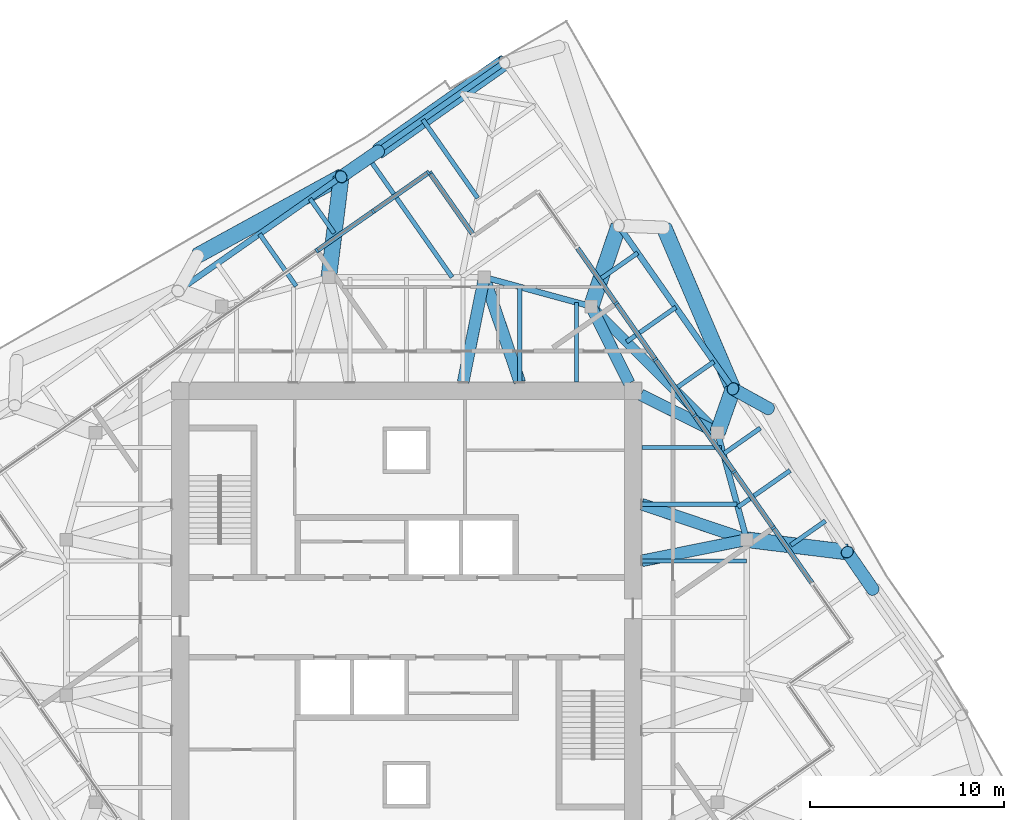
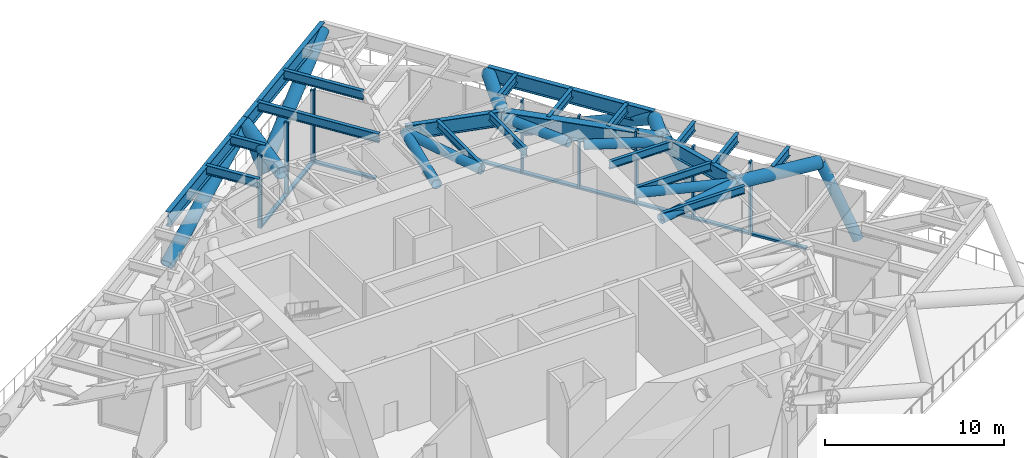
# One storey, part 5 of 16: 34 members, 21 beams, 3 elements without a shape of their own.
"""IFC4 building model written with IfcOpenShell, lengths in metres."""

from ifc_helpers import new_model, si_unit, direction, frame, origin, origin_2d, place, context, subcontext, project, spatial, rectangle, hollow_circle, i_section, extrude, material, material_profile, profile_set, type_object, element, aggregate, save


model = new_model("IFC4")

# Units and contexts
model_context = context("Model", 3, precision=1e-05, world=origin(), true_north=direction((0.0, 1.0)))
body_context = subcontext(model_context, "Body", "Model", "MODEL_VIEW")
ifc_project = project(units=[si_unit("LENGTHUNIT", "METRE"), si_unit("AREAUNIT", "SQUARE_METRE"), si_unit("VOLUMEUNIT", "CUBIC_METRE"), si_unit("PLANEANGLEUNIT", "RADIAN"), si_unit("MASSUNIT", "GRAM", prefix="KILO")], contexts=[model_context])

# Site, building, storey
site_placement = place(None, origin())
site = spatial("IfcSite", under=ifc_project, at=site_placement, CompositionType="ELEMENT")
building_placement = place(site_placement, origin())
building = spatial("IfcBuilding", under=site, at=building_placement, Name="Torsade Residences", CompositionType="ELEMENT")
storey_placement = place(building_placement, frame((0.0, 0.0, 235.39990234375)))
storey = spatial("IfcBuildingStorey", under=building, at=storey_placement, Name="L65", CompositionType="ELEMENT", Elevation=235.39990234375)

# Curtain wall, members
ifc_material_1 = material(Name="Aluminium and glass", Category="aluminium")
curtain_wall_type = type_object("IfcCurtainWallType", Name="TRANSFER LEVEL CURTAIN WALL HIGH ZONE", PredefinedType="NOTDEFINED", material=ifc_material_1)
curtain_wall_1_placement = place(storey_placement, origin())
curtain_wall_1 = element("IfcCurtainWall", 1, at=curtain_wall_1_placement, inside=storey, type_object=curtain_wall_type, Name="Curtain wall L65 face 4", PredefinedType="NOTDEFINED")
ifc_material_2 = material(Name="Aluminium mullion", Category="aluminium")
ifc_material_profile_1 = material_profile(ifc_material_2, rectangle(XDim=0.25, YDim=0.1201171875, at=origin_2d()), Name="HIGH ZONE TRANSFER CURTAIN WALL MULLION 250x120")
ifc_profile_set_1 = profile_set([ifc_material_profile_1], Name="Aluminium mullion")
member_type_1 = type_object("IfcMemberType", Name="HIGH ZONE TRANSFER CURTAIN WALL MULLION 250x120", PredefinedType="MULLION", material=ifc_profile_set_1)
member_1_placement = place(storey_placement, frame((58.870361328125, 34.606689453125, 0.0), z_axis=(0.0, 0.0, 1.0), x_axis=(-0.819152028472, -0.57357645894, 0.0)))
member_1 = element("IfcMember", 2, at=member_1_placement, type_object=member_type_1, Name="Mullion 3", PredefinedType="MULLION", context=body_context, shape_type="SweptSolid", body=[
    extrude(rectangle(XDim=0.25, YDim=0.1201171875, at=origin_2d()), origin(), (0.0, 0.0, 1.0), 5.0),
])
member_2_placement = place(storey_placement, frame((56.848388671875, 37.494140625, 0.0), z_axis=(0.0, 0.0, 1.0), x_axis=(-0.819152028472, -0.57357645894, 0.0)))
member_2 = element("IfcMember", 3, at=member_2_placement, type_object=member_type_1, Name="Mullion 4", PredefinedType="MULLION", context=body_context, shape_type="SweptSolid", body=[
    extrude(rectangle(XDim=0.25, YDim=0.1201171875, at=origin_2d()), origin(), (0.0, 0.0, 1.0), 5.0),
])
member_3_placement = place(storey_placement, frame((54.82666015625, 40.3818359375, 0.0), z_axis=(0.0, 0.0, 1.0), x_axis=(-0.819152028472, -0.57357645894, 0.0)))
member_3 = element("IfcMember", 4, at=member_3_placement, type_object=member_type_1, Name="Mullion 5", PredefinedType="MULLION", context=body_context, shape_type="SweptSolid", body=[
    extrude(rectangle(XDim=0.25, YDim=0.1201171875, at=origin_2d()), origin(), (0.0, 0.0, 1.0), 5.0),
])
member_4_placement = place(storey_placement, frame((52.8046875, 43.269287109375, 0.0), z_axis=(0.0, 0.0, 1.0), x_axis=(-0.819152028472, -0.57357645894, 0.0)))
member_4 = element("IfcMember", 5, at=member_4_placement, type_object=member_type_1, Name="Mullion 6", PredefinedType="MULLION", context=body_context, shape_type="SweptSolid", body=[
    extrude(rectangle(XDim=0.25, YDim=0.1201171875, at=origin_2d()), origin(), (0.0, 0.0, 1.0), 5.0),
])
member_5_placement = place(storey_placement, frame((50.782958984375, 46.15673828125, 0.0), z_axis=(0.0, 0.0, 1.0), x_axis=(-0.819152028472, -0.57357645894, 0.0)))
member_5 = element("IfcMember", 6, at=member_5_placement, type_object=member_type_1, Name="Mullion 7", PredefinedType="MULLION", context=body_context, shape_type="SweptSolid", body=[
    extrude(rectangle(XDim=0.25, YDim=0.1201171875, at=origin_2d()), origin(), (0.0, 0.0, 1.0), 5.0),
])

# Curtain wall, member
curtain_wall_2_placement = place(storey_placement, origin())
curtain_wall_2 = element("IfcCurtainWall", 7, at=curtain_wall_2_placement, inside=storey, type_object=curtain_wall_type, Name="Curtain wall L65 face 6", PredefinedType="NOTDEFINED")
member_6_placement = place(storey_placement, frame((41.20263671875, 52.864990234375, 0.0), z_axis=(0.0, 0.0, 1.0), x_axis=(-0.819151999811, -0.573576499872, 0.0)))
member_6 = element("IfcMember", 8, at=member_6_placement, type_object=member_type_1, Name="Mullion 2", PredefinedType="MULLION", context=body_context, shape_type="SweptSolid", body=[
    extrude(rectangle(XDim=0.25, YDim=0.1201171875, at=origin_2d()), origin(), (0.0, 0.0, 1.0), 5.0),
])

# Curtain wall, members
curtain_wall_3_placement = place(storey_placement, origin())
curtain_wall_3 = element("IfcCurtainWall", 9, at=curtain_wall_3_placement, inside=storey, type_object=curtain_wall_type, Name="Curtain wall L65 face 7", PredefinedType="NOTDEFINED")
member_7_placement = place(storey_placement, frame((41.119140625, 52.879638671875, 0.0), z_axis=(0.0, 0.0, 1.0), x_axis=(0.57357645894, -0.819152028472, 0.0)))
member_7 = element("IfcMember", 10, at=member_7_placement, type_object=member_type_1, Name="Mullion 1", PredefinedType="MULLION", context=body_context, shape_type="SweptSolid", body=[
    extrude(rectangle(XDim=0.25, YDim=0.1201171875, at=origin_2d()), origin(), (0.0, 0.0, 1.0), 5.0),
])
member_8_placement = place(storey_placement, frame((38.28076171875, 50.892333984375, 0.0), z_axis=(0.0, 0.0, 1.0), x_axis=(0.57357645894, -0.819152028472, 0.0)))
member_8 = element("IfcMember", 11, at=member_8_placement, type_object=member_type_1, Name="Mullion 2", PredefinedType="MULLION", context=body_context, shape_type="SweptSolid", body=[
    extrude(rectangle(XDim=0.25, YDim=0.1201171875, at=origin_2d()), origin(), (0.0, 0.0, 1.0), 5.0),
])
member_9_placement = place(storey_placement, frame((35.393310546875, 48.870361328125, 0.0), z_axis=(0.0, 0.0, 1.0), x_axis=(0.57357645894, -0.819152028472, 0.0)))
member_9 = element("IfcMember", 12, at=member_9_placement, type_object=member_type_1, Name="Mullion 3", PredefinedType="MULLION", context=body_context, shape_type="SweptSolid", body=[
    extrude(rectangle(XDim=0.25, YDim=0.1201171875, at=origin_2d()), origin(), (0.0, 0.0, 1.0), 5.0),
])

# Member
ifc_material_3 = material(Name="Aluminium transom", Category="aluminium")
ifc_material_profile_2 = material_profile(ifc_material_3, rectangle(XDim=0.25, YDim=0.139892578125, at=origin_2d()), Name="HIGH ZONE TRANSFER CURTAIN WALL TRANSOM 250x140")
ifc_profile_set_2 = profile_set([ifc_material_profile_2], Name="Aluminium transom")
member_type_2 = type_object("IfcMemberType", Name="HIGH ZONE TRANSFER CURTAIN WALL TRANSOM 250x140", PredefinedType="USERDEFINED", material=ifc_profile_set_2)
member_10_placement = place(storey_placement, frame((60.85791015625, 31.768310546875, 0.070068359375), z_axis=(-0.573582636552, 0.819147702826, 0.0), x_axis=(-0.819147702826, -0.573582636552, 0.0)))
member_10 = element("IfcMember", 13, at=member_10_placement, type_object=member_type_2, Name="Transom 2.1", ObjectType="TRANSOM", PredefinedType="USERDEFINED", context=body_context, shape_type="SweptSolid", body=[
    extrude(rectangle(XDim=0.25, YDim=0.139892578125, at=origin_2d()), origin(), (0.0, 0.0, 1.0), 3.405029296875),
])

member_11_placement = place(storey_placement, frame((58.8359375, 34.65576171875, 0.070068359375), z_axis=(-0.573582636552, 0.819147702826, 0.0), x_axis=(-0.819147702826, -0.573582636552, 0.0)))
member_11 = element("IfcMember", 14, at=member_11_placement, type_object=member_type_2, Name="Transom 3.1", ObjectType="TRANSOM", PredefinedType="USERDEFINED", context=body_context, shape_type="SweptSolid", body=[
    extrude(rectangle(XDim=0.25, YDim=0.139892578125, at=origin_2d()), origin(), (0.0, 0.0, 1.0), 3.405029296875),
])

member_12_placement = place(storey_placement, frame((56.814208984375, 37.54345703125, 0.070068359375), z_axis=(-0.573616325192, 0.819124112374, 0.0), x_axis=(-0.819124112374, -0.573616325192, 0.0)))
member_12 = element("IfcMember", 15, at=member_12_placement, type_object=member_type_2, Name="Transom 4.1", ObjectType="TRANSOM", PredefinedType="USERDEFINED", context=body_context, shape_type="SweptSolid", body=[
    extrude(rectangle(XDim=0.25, YDim=0.139892578125, at=origin_2d()), origin(), (0.0, 0.0, 1.0), 3.405029296875),
])

member_13_placement = place(storey_placement, frame((54.792236328125, 40.430908203125, 0.070068359375), z_axis=(-0.573582636552, 0.819147702826, 0.0), x_axis=(-0.819147702826, -0.573582636552, 0.0)))
member_13 = element("IfcMember", 16, at=member_13_placement, type_object=member_type_2, Name="Transom 5.1", ObjectType="TRANSOM", PredefinedType="USERDEFINED", context=body_context, shape_type="SweptSolid", body=[
    extrude(rectangle(XDim=0.25, YDim=0.139892578125, at=origin_2d()), origin(), (0.0, 0.0, 1.0), 3.405029296875),
])

member_14_placement = place(storey_placement, frame((52.770263671875, 43.318359375, 0.070068359375), z_axis=(-0.573534524129, 0.819181389945, 0.0), x_axis=(-0.819181389945, -0.573534524129, 0.0)))
member_14 = element("IfcMember", 17, at=member_14_placement, type_object=member_type_2, Name="Transom 6.1", ObjectType="TRANSOM", PredefinedType="USERDEFINED", context=body_context, shape_type="SweptSolid", body=[
    extrude(rectangle(XDim=0.25, YDim=0.139892578125, at=origin_2d()), origin(), (0.0, 0.0, 1.0), 3.405029296875),
])

member_15_placement = place(storey_placement, frame((50.74853515625, 46.205810546875, 0.070068359375), z_axis=(-0.573582636552, 0.819147702826, 0.0), x_axis=(-0.819147702826, -0.573582636552, 0.0)))
member_15 = element("IfcMember", 18, at=member_15_placement, type_object=member_type_2, Name="Transom 7.1", ObjectType="TRANSOM", PredefinedType="USERDEFINED", context=body_context, shape_type="SweptSolid", body=[
    extrude(rectangle(XDim=0.25, YDim=0.139892578125, at=origin_2d()), origin(), (0.0, 0.0, 1.0), 3.405029296875),
])

aggregate(curtain_wall_1, [member_1, member_2, member_3, member_4, member_5, member_10, member_11, member_12, member_13, member_14, member_15])

member_16_placement = place(storey_placement, frame((43.393798828125, 49.73583984375, 0.070068359375), z_axis=(-0.573614860738, 0.8191251379, 0.0), x_axis=(-0.8191251379, -0.573614860738, 0.0)))
member_16 = element("IfcMember", 19, at=member_16_placement, type_object=member_type_2, Name="Transom 1.1", ObjectType="TRANSOM", PredefinedType="USERDEFINED", context=body_context, shape_type="SweptSolid", body=[
    extrude(rectangle(XDim=0.25, YDim=0.139892578125, at=origin_2d()), origin(), (0.0, 0.0, 1.0), 3.760009765625),
])

aggregate(curtain_wall_2, [member_6, member_16])

member_17_placement = place(storey_placement, frame((41.070068359375, 52.84521484375, 0.070068359375), z_axis=(-0.819190772146, -0.573521123265, 0.0), x_axis=(0.573521123265, -0.819190772146, 0.0)))
member_17 = element("IfcMember", 20, at=member_17_placement, type_object=member_type_2, Name="Transom 1.1", ObjectType="TRANSOM", PredefinedType="USERDEFINED", context=body_context, shape_type="SweptSolid", body=[
    extrude(rectangle(XDim=0.25, YDim=0.139892578125, at=origin_2d()), origin(), (0.0, 0.0, 1.0), 3.344970703125),
])

member_18_placement = place(storey_placement, frame((38.231689453125, 50.85791015625, 0.070068359375), z_axis=(-0.819147702826, -0.573582636552, 0.0), x_axis=(0.573582636552, -0.819147702826, 0.0)))
member_18 = element("IfcMember", 21, at=member_18_placement, type_object=member_type_2, Name="Transom 2.1", ObjectType="TRANSOM", PredefinedType="USERDEFINED", context=body_context, shape_type="SweptSolid", body=[
    extrude(rectangle(XDim=0.25, YDim=0.139892578125, at=origin_2d()), origin(), (0.0, 0.0, 1.0), 3.405029296875),
])

aggregate(curtain_wall_3, [member_7, member_8, member_9, member_17, member_18])

# Beams
ifc_material_4 = material(Name="Steel grade 300", Category="steel")
ifc_material_profile_3 = material_profile(ifc_material_4, i_section(OverallWidth=0.208984375, OverallDepth=0.528076171875, WebThickness=0.009521484375, FlangeThickness=0.01318359375, FilletRadius=0.013916015625, at=origin_2d()), Name="530UB82.0")
ifc_profile_set_3 = profile_set([ifc_material_profile_3], Name="Steel grade 300")
beam_type_1 = type_object("IfcBeamType", Name="INNER FLOOR BEAM 530UB82.0", PredefinedType="JOIST", material=ifc_profile_set_3)
beam_1_placement = place(storey_placement, frame((45.824951171875, 42.10009765625, 4.586181640625), z_axis=(0.0, 1.0, 0.0), x_axis=(-1.0, 0.0, 0.0)))
element("IfcBeam", 22, at=beam_1_placement, inside=storey, type_object=beam_type_1, Name="Inner floor beam IN06 L66", PredefinedType="JOIST", context=body_context, shape_type="SweptSolid", body=[
    extrude(i_section(OverallWidth=0.208984375, OverallDepth=0.528076171875, WebThickness=0.009521484375, FlangeThickness=0.01318359375, FilletRadius=0.013916015625, at=origin_2d()), origin(), (0.0, 0.0, 1.0), 4.902099609375),
])
beam_2_placement = place(storey_placement, frame((48.737548828125, 42.10009765625, 4.586181640625), z_axis=(0.0, 1.0, 0.0), x_axis=(-1.0, 0.0, 0.0)))
element("IfcBeam", 23, at=beam_2_placement, inside=storey, type_object=beam_type_1, Name="Inner floor beam IN07 L66", PredefinedType="JOIST", context=body_context, shape_type="SweptSolid", body=[
    extrude(i_section(OverallWidth=0.208984375, OverallDepth=0.528076171875, WebThickness=0.009521484375, FlangeThickness=0.01318359375, FilletRadius=0.013916015625, at=origin_2d()), origin(), (0.0, 0.0, 1.0), 4.10791015625),
])
beam_3_placement = place(storey_placement, frame((52.10009765625, 32.91259765625, 4.586181640625), z_axis=(1.0, 0.0, 0.0), x_axis=(0.0, 1.0, 0.0)))
element("IfcBeam", 24, at=beam_3_placement, inside=storey, type_object=beam_type_1, Name="Inner floor beam IE05 L66", PredefinedType="JOIST", context=body_context, shape_type="SweptSolid", body=[
    extrude(i_section(OverallWidth=0.208984375, OverallDepth=0.528076171875, WebThickness=0.009521484375, FlangeThickness=0.01318359375, FilletRadius=0.013916015625, at=origin_2d()), origin(), (0.0, 0.0, 1.0), 5.39990234375),
])
beam_4_placement = place(storey_placement, frame((52.10009765625, 35.824951171875, 4.586181640625), z_axis=(1.0, 0.0, 0.0), x_axis=(0.0, 1.0, 0.0)))
element("IfcBeam", 25, at=beam_4_placement, inside=storey, type_object=beam_type_1, Name="Inner floor beam IE06 L66", PredefinedType="JOIST", context=body_context, shape_type="SweptSolid", body=[
    extrude(i_section(OverallWidth=0.208984375, OverallDepth=0.528076171875, WebThickness=0.009521484375, FlangeThickness=0.01318359375, FilletRadius=0.013916015625, at=origin_2d()), origin(), (0.0, 0.0, 1.0), 4.902099609375),
])
beam_5_placement = place(storey_placement, frame((52.10009765625, 38.737548828125, 4.586181640625), z_axis=(1.0, 0.0, 0.0), x_axis=(0.0, 1.0, 0.0)))
element("IfcBeam", 26, at=beam_5_placement, inside=storey, type_object=beam_type_1, Name="Inner floor beam IE07 L66", PredefinedType="JOIST", context=body_context, shape_type="SweptSolid", body=[
    extrude(i_section(OverallWidth=0.208984375, OverallDepth=0.528076171875, WebThickness=0.009521484375, FlangeThickness=0.01318359375, FilletRadius=0.013916015625, at=origin_2d()), origin(), (0.0, 0.0, 1.0), 4.10791015625),
])
ifc_material_5 = material(Name="Steel grade 300", Category="steel")
ifc_material_profile_4 = material_profile(ifc_material_5, i_section(OverallWidth=0.5, OverallDepth=1.199951171875, WebThickness=0.01611328125, FlangeThickness=0.0400390625, at=origin_2d()), Name="1200WB455")
ifc_profile_set_4 = profile_set([ifc_material_profile_4], Name="Steel grade 300")
beam_type_2 = type_object("IfcBeamType", Name="RING CORNER GIRDER 1200WB455", PredefinedType="BEAM", material=ifc_profile_set_4)
beam_6_placement = place(storey_placement, frame((56.0, 39.5, 4.25), z_axis=(-0.707106781187, 0.707106781187, 0.0), x_axis=(-0.707106781187, -0.707106781187, 0.0)))
element("IfcBeam", 27, at=beam_6_placement, inside=storey, type_object=beam_type_2, Name="Ring girder IR03 L66", PredefinedType="BEAM", context=body_context, shape_type="SweptSolid", body=[
    extrude(i_section(OverallWidth=0.5, OverallDepth=1.199951171875, WebThickness=0.01611328125, FlangeThickness=0.0400390625, at=origin_2d()), origin(), (0.0, 0.0, 1.0), 9.1923828125),
])
ifc_material_6 = material(Name="Steel grade 300", Category="steel")
ifc_material_profile_5 = material_profile(ifc_material_6, i_section(OverallWidth=0.300048828125, OverallDepth=1.0, WebThickness=0.01611328125, FlangeThickness=0.028076171875, at=origin_2d()), Name="1000WB215")
ifc_profile_set_5 = profile_set([ifc_material_profile_5], Name="Steel grade 300")
beam_type_3 = type_object("IfcBeamType", Name="RING GIRDER 1000WB215", PredefinedType="BEAM", material=ifc_profile_set_5)
for number, where, z_axis, x_axis, name in (
    (28, (57.5, 34.0, 4.35009765625), (-0.263117405792, 0.964763821238, 0.0), (-0.964763821238, -0.263117405792, 0.0), "Ring girder IR02 L66"),
    (29, (49.5, 46.0, 4.35009765625), (-0.964763821238, 0.263117405792, 0.0), (-0.263117405792, -0.964763821238, 0.0), "Ring girder IR04 L66"),
):
    element("IfcBeam", number, at=place(storey_placement, frame(where, z_axis=z_axis, x_axis=x_axis)), inside=storey, type_object=beam_type_3, Name=name, PredefinedType="BEAM", context=body_context, shape_type="SweptSolid", body=[
        extrude(i_section(OverallWidth=0.300048828125, OverallDepth=1.0, WebThickness=0.01611328125, FlangeThickness=0.028076171875, at=origin_2d()), origin(), (0.0, 0.0, 1.0), 5.700927734375),
    ])
ifc_material_7 = material(Name="Steel grade 300", Category="steel")
ifc_material_profile_6 = material_profile(ifc_material_7, i_section(OverallWidth=0.22900390625, OverallDepth=0.612060546875, WebThickness=0.011962890625, FlangeThickness=0.01953125, FilletRadius=0.013916015625, at=origin_2d()), Name="610UB125")
ifc_profile_set_6 = profile_set([ifc_material_profile_6], Name="Steel grade 300")
beam_type_4 = type_object("IfcBeamType", Name="SECONDARY BEAM 610UB125", PredefinedType="JOIST", material=ifc_profile_set_6)
beam_7_placement = place(storey_placement, frame((61.548583984375, 34.966064453125, 4.544189453125), z_axis=(-0.819194959058, -0.573515142828, 0.0), x_axis=(0.573515142828, -0.819194959058, 0.0)))
element("IfcBeam", 30, at=beam_7_placement, inside=storey, type_object=beam_type_4, Name="Floor beam FE04 L66", PredefinedType="JOIST", context=body_context, shape_type="SweptSolid", body=[
    extrude(i_section(OverallWidth=0.22900390625, OverallDepth=0.612060546875, WebThickness=0.011962890625, FlangeThickness=0.01953125, FilletRadius=0.013916015625, at=origin_2d()), origin(), (0.0, 0.0, 1.0), 2.17236328125),
])
beam_8_placement = place(storey_placement, frame((59.732177734375, 37.56005859375, 4.544189453125), z_axis=(-0.819169032504, -0.573552173902, 0.0), x_axis=(0.573552173902, -0.819169032504, 0.0)))
element("IfcBeam", 31, at=beam_8_placement, inside=storey, type_object=beam_type_4, Name="Floor beam FE05 L66", PredefinedType="JOIST", context=body_context, shape_type="SweptSolid", body=[
    extrude(i_section(OverallWidth=0.22900390625, OverallDepth=0.612060546875, WebThickness=0.011962890625, FlangeThickness=0.01953125, FilletRadius=0.013916015625, at=origin_2d()), origin(), (0.0, 0.0, 1.0), 3.283203125),
])
beam_9_placement = place(storey_placement, frame((58.20263671875, 39.74462890625, 4.544189453125), z_axis=(-0.819157953557, -0.573567996949, 0.0), x_axis=(0.573567996949, -0.819157953557, 0.0)))
element("IfcBeam", 32, at=beam_9_placement, inside=storey, type_object=beam_type_4, Name="Floor beam FE06 L66", PredefinedType="JOIST", context=body_context, shape_type="SweptSolid", body=[
    extrude(i_section(OverallWidth=0.22900390625, OverallDepth=0.612060546875, WebThickness=0.011962890625, FlangeThickness=0.01953125, FilletRadius=0.013916015625, at=origin_2d()), origin(), (0.0, 0.0, 1.0), 2.326171875),
])
beam_10_placement = place(storey_placement, frame((55.812744140625, 43.15771484375, 4.544189453125), z_axis=(-0.819172078752, -0.573547823109, 0.0), x_axis=(0.573547823109, -0.819172078752, 0.0)))
element("IfcBeam", 33, at=beam_10_placement, inside=storey, type_object=beam_type_4, Name="Floor beam FE07 L66", PredefinedType="JOIST", context=body_context, shape_type="SweptSolid", body=[
    extrude(i_section(OverallWidth=0.22900390625, OverallDepth=0.612060546875, WebThickness=0.011962890625, FlangeThickness=0.01953125, FilletRadius=0.013916015625, at=origin_2d()), origin(), (0.0, 0.0, 1.0), 2.491943359375),
])
beam_11_placement = place(storey_placement, frame((53.85302734375, 45.95654296875, 4.544189453125), z_axis=(-0.819135534955, -0.573600013401, 0.0), x_axis=(0.573600013401, -0.819135534955, 0.0)))
element("IfcBeam", 34, at=beam_11_placement, inside=storey, type_object=beam_type_4, Name="Floor beam FE08 L66", PredefinedType="JOIST", context=body_context, shape_type="SweptSolid", body=[
    extrude(i_section(OverallWidth=0.22900390625, OverallDepth=0.612060546875, WebThickness=0.011962890625, FlangeThickness=0.01953125, FilletRadius=0.013916015625, at=origin_2d()), origin(), (0.0, 0.0, 1.0), 3.09423828125),
])
beam_12_placement = place(storey_placement, frame((51.893310546875, 48.755126953125, 4.544189453125), z_axis=(-0.819163087535, -0.573560664637, 0.0), x_axis=(0.573560664637, -0.819163087535, 0.0)))
element("IfcBeam", 35, at=beam_12_placement, inside=storey, type_object=beam_type_4, Name="Floor beam FE09 L66", PredefinedType="JOIST", context=body_context, shape_type="SweptSolid", body=[
    extrude(i_section(OverallWidth=0.22900390625, OverallDepth=0.612060546875, WebThickness=0.011962890625, FlangeThickness=0.01953125, FilletRadius=0.013916015625, at=origin_2d()), origin(), (0.0, 0.0, 1.0), 2.3330078125),
])
beam_13_placement = place(storey_placement, frame((40.836181640625, 55.611328125, 4.544189453125), z_axis=(0.573575295634, -0.819152843027, 0.0), x_axis=(0.819152843027, 0.573575295634, 0.0)))
element("IfcBeam", 36, at=beam_13_placement, inside=storey, type_object=beam_type_4, Name="Floor beam FN02 L66", PredefinedType="JOIST", context=body_context, shape_type="SweptSolid", body=[
    extrude(i_section(OverallWidth=0.22900390625, OverallDepth=0.612060546875, WebThickness=0.011962890625, FlangeThickness=0.01953125, FilletRadius=0.013916015625, at=origin_2d()), origin(), (0.0, 0.0, 1.0), 4.931884765625),
])
beam_14_placement = place(storey_placement, frame((38.037353515625, 53.651611328125, 4.544189453125), z_axis=(0.573573614851, -0.819154019917, 0.0), x_axis=(0.819154019917, 0.573573614851, 0.0)))
element("IfcBeam", 37, at=beam_14_placement, inside=storey, type_object=beam_type_4, Name="Floor beam FN03 L66", PredefinedType="JOIST", context=body_context, shape_type="SweptSolid", body=[
    extrude(i_section(OverallWidth=0.22900390625, OverallDepth=0.612060546875, WebThickness=0.011962890625, FlangeThickness=0.01953125, FilletRadius=0.013916015625, at=origin_2d()), origin(), (0.0, 0.0, 1.0), 7.509765625),
])
beam_15_placement = place(storey_placement, frame((35.033935546875, 51.548583984375, 4.544189453125), z_axis=(0.573515142828, -0.819194959058, 0.0), x_axis=(0.819194959058, 0.573515142828, 0.0)))
element("IfcBeam", 38, at=beam_15_placement, inside=storey, type_object=beam_type_4, Name="Floor beam FN04 L66", PredefinedType="JOIST", context=body_context, shape_type="SweptSolid", body=[
    extrude(i_section(OverallWidth=0.22900390625, OverallDepth=0.612060546875, WebThickness=0.011962890625, FlangeThickness=0.01953125, FilletRadius=0.013916015625, at=origin_2d()), origin(), (0.0, 0.0, 1.0), 2.17236328125),
])
beam_16_placement = place(storey_placement, frame((32.43994140625, 49.732177734375, 4.544189453125), z_axis=(0.573552173902, -0.819169032504, 0.0), x_axis=(0.819169032504, 0.573552173902, 0.0)))
element("IfcBeam", 39, at=beam_16_placement, inside=storey, type_object=beam_type_4, Name="Floor beam FN05 L66", PredefinedType="JOIST", context=body_context, shape_type="SweptSolid", body=[
    extrude(i_section(OverallWidth=0.22900390625, OverallDepth=0.612060546875, WebThickness=0.011962890625, FlangeThickness=0.01953125, FilletRadius=0.013916015625, at=origin_2d()), origin(), (0.0, 0.0, 1.0), 3.283203125),
])

# Members
ifc_material_8 = material(Name="Steel grade 450", Category="steel")
ifc_material_profile_7 = material_profile(ifc_material_8, hollow_circle(Radius=0.304931640625, WallThickness=0.01611328125, at=origin_2d()), Name="610.0x16.0CHS")
ifc_profile_set_7 = profile_set([ifc_material_profile_7], Name="Steel grade 450")
member_type_3 = type_object("IfcMemberType", Name="TRANSFER FLOOR BRACE 610.0x16.0CHS", PredefinedType="BRACE", material=ifc_profile_set_7)
member_19_placement = place(storey_placement, frame((57.5, 34.0, 4.35009765625), z_axis=(-0.980201418973, -0.197387517864, 0.015599552377), x_axis=(0.197411538983, -0.980320704809, 0.0)))
element("IfcMember", 40, at=member_19_placement, inside=storey, type_object=member_type_3, Name="Transfer floor brace TT7 top IR02IE05", PredefinedType="BRACE", context=body_context, shape_type="SweptSolid", body=[
    extrude(hollow_circle(Radius=0.304931640625, WallThickness=0.01611328125, at=origin_2d()), origin(), (0.0, 0.0, 1.0), 5.509033203125),
])
member_20_placement = place(storey_placement, frame((57.5, 34.0, 4.35009765625), z_axis=(-0.947252495944, 0.320133484365, 0.01507518214), x_axis=(-0.320169867513, -0.947360151124, 0.0)))
element("IfcMember", 41, at=member_20_placement, inside=storey, type_object=member_type_3, Name="Transfer floor brace TT7 top IR02IE06", PredefinedType="BRACE", context=body_context, shape_type="SweptSolid", body=[
    extrude(hollow_circle(Radius=0.304931640625, WallThickness=0.01611328125, at=origin_2d()), origin(), (0.0, 0.0, 1.0), 5.70068359375),
])
for number, where, z_axis, x_axis, name in (
    (42, (56.0, 39.5, 4.35009765625), (-0.896469701914, 0.443105036702, 0.0), (-0.443105036702, -0.896469701914, 0.0), "Transfer floor brace TT7 top IR03C"),
    (43, (49.5, 46.0, 4.35009765625), (0.443105036702, -0.896469701914, 0.0), (0.896469701914, 0.443105036702, 0.0), "Transfer floor brace TT7 top IR04C"),
):
    element("IfcMember", number, at=place(storey_placement, frame(where, z_axis=z_axis, x_axis=x_axis)), inside=storey, type_object=member_type_3, Name=name, PredefinedType="BRACE", context=body_context, shape_type="SweptSolid", body=[
        extrude(hollow_circle(Radius=0.304931640625, WallThickness=0.01611328125, at=origin_2d()), origin(), (0.0, 0.0, 1.0), 4.40234375),
    ])
member_21_placement = place(storey_placement, frame((44.0, 47.5, 4.35009765625), z_axis=(-0.197387517864, -0.980201418973, 0.015599552377), x_axis=(0.980320704809, -0.197411538983, 0.0)))
element("IfcMember", 44, at=member_21_placement, inside=storey, type_object=member_type_3, Name="Transfer floor brace TT7 top IR05IN05", PredefinedType="BRACE", context=body_context, shape_type="SweptSolid", body=[
    extrude(hollow_circle(Radius=0.304931640625, WallThickness=0.01611328125, at=origin_2d()), origin(), (0.0, 0.0, 1.0), 5.509033203125),
])
member_22_placement = place(storey_placement, frame((44.0, 47.5, 4.35009765625), z_axis=(0.320133484365, -0.947252495944, 0.01507518214), x_axis=(0.947360151124, 0.320169867513, 0.0)))
element("IfcMember", 45, at=member_22_placement, inside=storey, type_object=member_type_3, Name="Transfer floor brace TT7 top IR05IN06", PredefinedType="BRACE", context=body_context, shape_type="SweptSolid", body=[
    extrude(hollow_circle(Radius=0.304931640625, WallThickness=0.01611328125, at=origin_2d()), origin(), (0.0, 0.0, 1.0), 5.70068359375),
])
ifc_material_9 = material(Name="Steel grade 450", Category="steel")
ifc_material_profile_8 = material_profile(ifc_material_9, hollow_circle(Radius=0.406494140625, WallThickness=0.02490234375, at=origin_2d()), Name="813.0x25.0CHS")
ifc_profile_set_8 = profile_set([ifc_material_profile_8], Name="Steel grade 450")
member_type_4 = type_object("IfcMemberType", Name="TRANSFER FLOOR STRUT 813.0x25.0CHS", PredefinedType="STRUT", material=ifc_profile_set_8)
member_23_placement = place(storey_placement, frame((62.671875, 33.362060546875, 4.35009765625), z_axis=(-0.992478380214, 0.122420034342, 0.0), x_axis=(-0.122420034342, -0.992478380214, 0.0)))
element("IfcMember", 46, at=member_23_placement, inside=storey, type_object=member_type_4, Name="Transfer floor strut TT7 top 06IR02", PredefinedType="STRUT", context=body_context, shape_type="SweptSolid", body=[
    extrude(hollow_circle(Radius=0.406494140625, WallThickness=0.02490234375, at=origin_2d()), origin(), (0.0, 0.0, 1.0), 5.211181640625),
])
member_24_placement = place(storey_placement, frame((56.792724609375, 41.75830078125, 4.35009765625), z_axis=(-0.331213589274, -0.943555805599, 0.0), x_axis=(0.943555805599, -0.331213589274, 0.0)))
element("IfcMember", 47, at=member_24_placement, inside=storey, type_object=member_type_4, Name="Transfer floor strut TT7 top 07IR03", PredefinedType="STRUT", context=body_context, shape_type="SweptSolid", body=[
    extrude(hollow_circle(Radius=0.406494140625, WallThickness=0.02490234375, at=origin_2d()), origin(), (0.0, 0.0, 1.0), 2.393310546875),
])
member_25_placement = place(storey_placement, frame((50.91357421875, 50.154541015625, 4.35009765625), z_axis=(-0.322113167985, -0.946701170915, 0.0), x_axis=(0.946701170915, -0.322113167985, 0.0)))
element("IfcMember", 48, at=member_25_placement, inside=storey, type_object=member_type_4, Name="Transfer floor strut TT7 top 08IR04", PredefinedType="STRUT", context=body_context, shape_type="SweptSolid", body=[
    extrude(hollow_circle(Radius=0.406494140625, WallThickness=0.02490234375, at=origin_2d()), origin(), (0.0, 0.0, 1.0), 4.388427734375),
])
member_26_placement = place(storey_placement, frame((36.637939453125, 52.671875, 4.35009765625), z_axis=(-0.122420034342, -0.992478380214, 0.0), x_axis=(0.992478380214, -0.122420034342, 0.0)))
element("IfcMember", 49, at=member_26_placement, inside=storey, type_object=member_type_4, Name="Transfer floor strut TT7 top 10IR06", PredefinedType="STRUT", context=body_context, shape_type="SweptSolid", body=[
    extrude(hollow_circle(Radius=0.406494140625, WallThickness=0.02490234375, at=origin_2d()), origin(), (0.0, 0.0, 1.0), 5.211181640625),
])

# Beams
ifc_material_10 = material(Name="Steel grade 300", Category="steel")
ifc_material_profile_9 = material_profile(ifc_material_10, i_section(OverallWidth=0.300048828125, OverallDepth=1.0, WebThickness=0.01611328125, FlangeThickness=0.028076171875, at=origin_2d()), Name="1000WB215")
ifc_profile_set_9 = profile_set([ifc_material_profile_9], Name="Steel grade 300")
beam_type_5 = type_object("IfcBeamType", Name="TRANSFER TRUSS CHORD 1000WB215", PredefinedType="USERDEFINED", material=ifc_profile_set_9)
for number, where, z_axis, x_axis, name in (
    (50, (56.792724609375, 41.75830078125, 4.35009765625), (-0.573579034377, 0.819150225126, 0.0), (-0.819150225126, -0.573579034377, 0.0), "Transfer truss TT7 top chord 07"),
    (51, (45.0341796875, 58.551025390625, 4.35009765625), (-0.819150225126, -0.573579034377, 0.0), (0.573579034377, -0.819150225126, 0.0), "Transfer truss TT7 top chord 09"),
    (52, (36.637939453125, 52.671875, 4.35009765625), (-0.819150225126, -0.573579034377, 0.0), (0.573579034377, -0.819150225126, 0.0), "Transfer truss TT7 top chord 10"),
):
    element("IfcBeam", number, at=place(storey_placement, frame(where, z_axis=z_axis, x_axis=x_axis)), inside=storey, type_object=beam_type_5, Name=name, ObjectType="TRANSFER TRUSS CHORD", PredefinedType="USERDEFINED", context=body_context, shape_type="SweptSolid", body=[
        extrude(i_section(OverallWidth=0.300048828125, OverallDepth=1.0, WebThickness=0.01611328125, FlangeThickness=0.028076171875, at=origin_2d()), origin(), (0.0, 0.0, 1.0), 10.25),
    ])

# Members
ifc_material_11 = material(Name="Steel grade 450", Category="steel")
ifc_material_profile_10 = material_profile(ifc_material_11, hollow_circle(Radius=0.406494140625, WallThickness=0.02490234375, at=origin_2d()), Name="813.0x25.0CHS")
ifc_profile_set_10 = profile_set([ifc_material_profile_10], Name="Steel grade 450")
member_type_5 = type_object("IfcMemberType", Name="TRANSFER TRUSS DIAGONAL 813.0x25.0CHS", PredefinedType="BRACE", material=ifc_profile_set_10)
member_27_placement = place(storey_placement, frame((53.24462890625, 50.059814453125, -0.199951171875), z_axis=(0.350957788383, -0.821139315929, 0.450065389259), x_axis=(0.919533437776, 0.393011776937, 0.0)))
element("IfcMember", 53, at=member_27_placement, inside=storey, type_object=member_type_5, Name="Transfer truss TT7 diagonal 07", PredefinedType="BRACE", context=body_context, shape_type="SweptSolid", body=[
    extrude(hollow_circle(Radius=0.406494140625, WallThickness=0.02490234375, at=origin_2d()), origin(), (0.0, 0.0, 1.0), 10.10986328125),
])
member_28_placement = place(storey_placement, frame((38.559814453125, 53.99462890625, -0.199951171875), z_axis=(0.709028005159, 0.498985243044, 0.498290091336), x_axis=(-0.575523960556, 0.817784917216, 0.0)))
element("IfcMember", 54, at=member_28_placement, inside=storey, type_object=member_type_5, Name="Transfer truss TT7 diagonal 09", PredefinedType="BRACE", context=body_context, shape_type="SweptSolid", body=[
    extrude(hollow_circle(Radius=0.406494140625, WallThickness=0.02490234375, at=origin_2d()), origin(), (0.0, 0.0, 1.0), 9.13134765625),
])
member_29_placement = place(storey_placement, frame((29.25, 48.61962890625, -0.199951171875), z_axis=(0.771482587323, 0.423154158302, 0.475137007367), x_axis=(-0.48090518284, 0.876772607418, 0.0)))
element("IfcMember", 55, at=member_29_placement, inside=storey, type_object=member_type_5, Name="Transfer truss TT7 diagonal 10", PredefinedType="BRACE", context=body_context, shape_type="SweptSolid", body=[
    extrude(hollow_circle(Radius=0.406494140625, WallThickness=0.02490234375, at=origin_2d()), origin(), (0.0, 0.0, 1.0), 9.576171875),
])
ifc_material_12 = material(Name="Steel grade 450", Category="steel")
ifc_material_profile_11 = material_profile(ifc_material_12, hollow_circle(Radius=0.330078125, WallThickness=0.01806640625, at=origin_2d()), Name="660.0x18.0CHS")
ifc_profile_set_11 = profile_set([ifc_material_profile_11], Name="Steel grade 450")
member_type_6 = type_object("IfcMemberType", Name="TRANSFER TRUSS RAKING STRUT 660.0x18.0CHS", PredefinedType="STRUT", material=ifc_profile_set_11)
member_30_placement = place(storey_placement, frame((63.99462890625, 31.440185546875, -0.199951171875), z_axis=(-0.258686967294, 0.375855261451, 0.889839241319), x_axis=(-0.823748702835, -0.566955090442, 0.0)))
element("IfcMember", 56, at=member_30_placement, inside=storey, type_object=member_type_6, Name="Transfer truss TT7 raking strut 06", PredefinedType="STRUT", context=body_context, shape_type="SweptSolid", body=[
    extrude(hollow_circle(Radius=0.330078125, WallThickness=0.01806640625, at=origin_2d()), origin(), (0.0, 0.0, 1.0), 5.11328125),
])
member_31_placement = place(storey_placement, frame((58.61962890625, 40.75, -0.199951171875), z_axis=(-0.364963622455, 0.201429875817, 0.908970604262), x_axis=(-0.483207242049, -0.875506002967, 0.0)))
element("IfcMember", 57, at=member_31_placement, inside=storey, type_object=member_type_6, Name="Transfer truss TT7 raking strut 07", PredefinedType="STRUT", context=body_context, shape_type="SweptSolid", body=[
    extrude(hollow_circle(Radius=0.330078125, WallThickness=0.01806640625, at=origin_2d()), origin(), (0.0, 0.0, 1.0), 5.005615234375),
])
member_32_placement = place(storey_placement, frame((38.559814453125, 53.99462890625, -0.199951171875), z_axis=(-0.375855261451, -0.258686967294, 0.889839241319), x_axis=(0.566955090442, -0.823748702835, 0.0)))
element("IfcMember", 58, at=member_32_placement, inside=storey, type_object=member_type_6, Name="Transfer truss TT7 raking strut 10", PredefinedType="STRUT", context=body_context, shape_type="SweptSolid", body=[
    extrude(hollow_circle(Radius=0.330078125, WallThickness=0.01806640625, at=origin_2d()), origin(), (0.0, 0.0, 1.0), 5.11328125),
])

save(model, "model.ifc")
